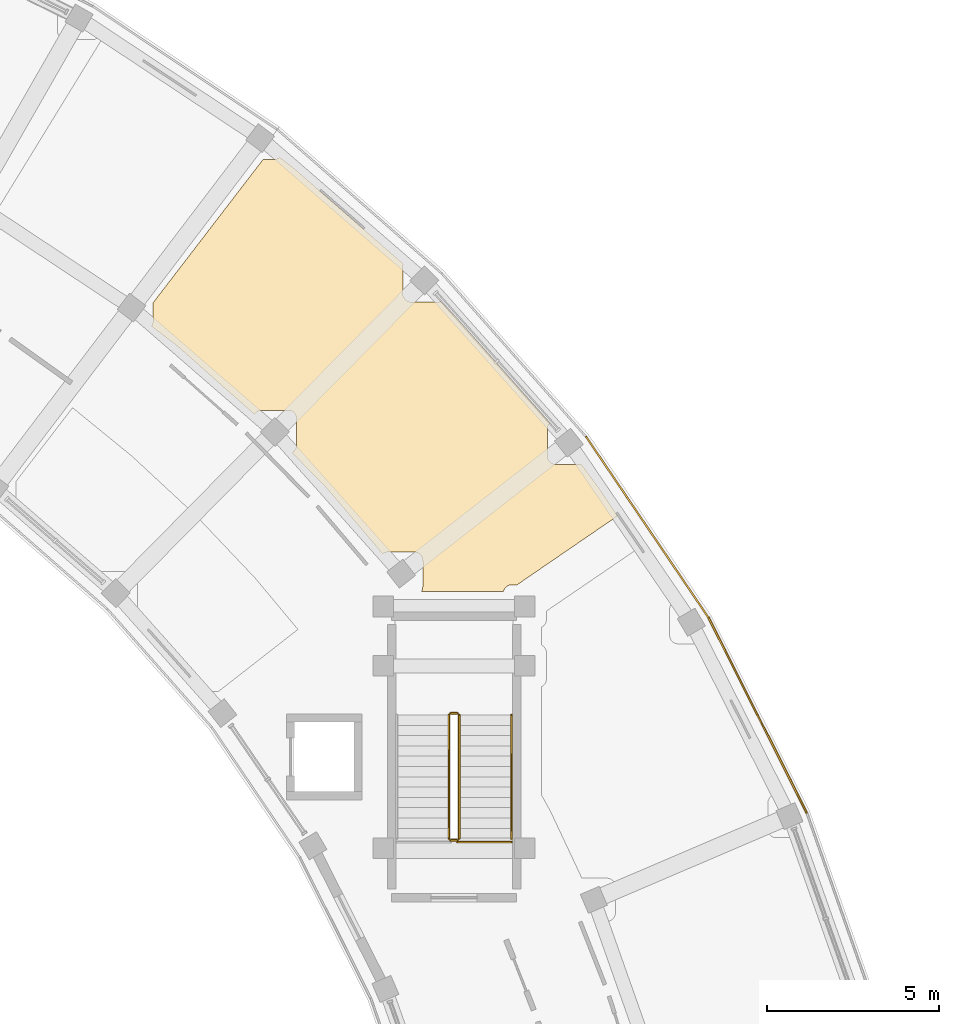
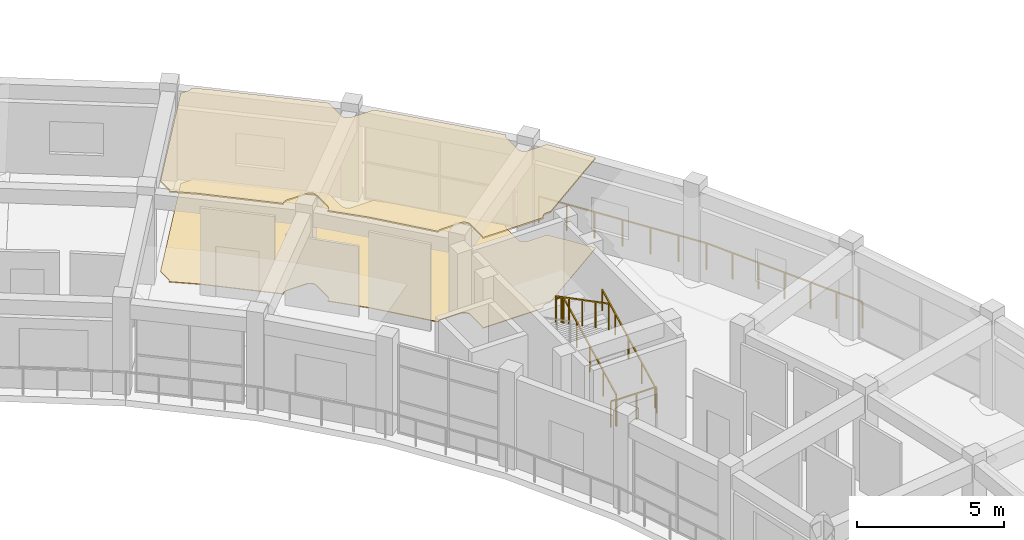
# One storey, part 71 of 72: 8 railings, 2 coverings.
"""IFC4 building model written with IfcOpenShell, lengths in metres."""

from ifc_helpers import new_model, si_unit, direction, frame, origin, origin_2d, place, context, subcontext, project, spatial, polyline, rectangle, outline, extrude, material, layer, layer_set, type_object, element, save


model = new_model("IFC4")

# Units and contexts
model_context = context("Model", 3, precision=1e-05, world=origin(), true_north=direction((0.0, 1.0)))
body_context = subcontext(model_context, "Body", "Model", "MODEL_VIEW")
ifc_project = project(units=[si_unit("LENGTHUNIT", "METRE"), si_unit("AREAUNIT", "SQUARE_METRE"), si_unit("VOLUMEUNIT", "CUBIC_METRE"), si_unit("PLANEANGLEUNIT", "RADIAN"), si_unit("MASSUNIT", "GRAM", prefix="KILO")], contexts=[model_context])

# Site, building, storey
site_placement = place(None, origin())
site = spatial("IfcSite", under=ifc_project, at=site_placement, CompositionType="ELEMENT")
building_placement = place(site_placement, origin())
building = spatial("IfcBuilding", under=site, at=building_placement, Name="Saryqyr Civic Hall", CompositionType="ELEMENT")
storey_placement = place(building_placement, frame((0.0, 0.0, 17.25)))
storey = spatial("IfcBuildingStorey", under=building, at=storey_placement, Name="L04", CompositionType="ELEMENT", Elevation=17.25)

# Coverings
ifc_material_1 = material(Name="Mineral-fibre acoustic ceiling tile", Category="acoustic_tile")
ifc_layer_1 = layer(ifc_material_1, 0.06005859375, Name="Mineral-fibre acoustic ceiling tile")
ifc_layer_set_1 = layer_set([ifc_layer_1], Name="Mineral-fibre acoustic ceiling tile")
covering_type_1 = type_object("IfcCoveringType", Name="INT-COV-CEIL-60", PredefinedType="CEILING", material=ifc_layer_set_1)
covering_1_placement = place(storey_placement, frame((0.0, 0.0, 3.72998046875)))
element("IfcCovering", 1, at=covering_1_placement, inside=storey, type_object=covering_type_1, Name="Acoustic ceiling Chief of Staff & Cabinet Secretariat", PredefinedType="CEILING", context=body_context, shape_type="SweptSolid", body=[
    extrude(outline(polyline([(93.9599609375, 110.010009765625), (93.935546875, 110.0087890625), (93.9111328125, 110.005126953125), (93.887451171875, 109.999267578125), (93.8642578125, 109.990966796875), (93.84228515625, 109.98046875), (93.821044921875, 109.968017578125), (93.801513671875, 109.953369140625), (93.783203125, 109.936767578125), (93.7666015625, 109.918701171875), (93.752197265625, 109.89892578125), (93.739501953125, 109.877685546875), (93.72900390625, 109.855712890625), (93.720703125, 109.83251953125), (93.717529296875, 109.820068359375), (91.328125, 109.820068359375), (91.3388671875, 109.837890625), (91.349365234375, 109.85986328125), (91.357666015625, 109.883056640625), (91.363525390625, 109.90673828125), (91.3671875, 109.93115234375), (91.368408203125, 109.95556640625), (91.368408203125, 110.715576171875), (91.3671875, 110.739990234375), (91.363525390625, 110.764404296875), (91.357666015625, 110.7880859375), (91.349365234375, 110.811279296875), (91.3388671875, 110.83349609375), (91.326416015625, 110.8544921875), (91.311767578125, 110.874267578125), (91.295166015625, 110.892333984375), (91.277099609375, 110.908935546875), (91.25732421875, 110.923583984375), (91.236083984375, 110.93603515625), (91.214111328125, 110.946533203125), (91.19091796875, 110.954833984375), (91.167236328125, 110.960693359375), (91.142822265625, 110.96435546875), (91.118408203125, 110.965576171875), (90.3583984375, 110.965576171875), (90.333984375, 110.96435546875), (90.3095703125, 110.960693359375), (90.285888671875, 110.954833984375), (90.2626953125, 110.946533203125), (90.240478515625, 110.93603515625), (90.219482421875, 110.923583984375), (90.19970703125, 110.908935546875), (88.5966796875, 112.79541015625), (88.57080078125, 112.823974609375), (87.555419921875, 113.861328125), (87.560546875, 113.86376953125), (87.581787109375, 113.876220703125), (87.601318359375, 113.890869140625), (87.61962890625, 113.907470703125), (87.635986328125, 113.925537109375), (87.650634765625, 113.9453125), (87.663330078125, 113.96630859375), (87.673828125, 113.988525390625), (87.681884765625, 114.01171875), (87.68798828125, 114.035400390625), (87.691650390625, 114.059814453125), (87.69287109375, 114.084228515625), (87.69287109375, 114.84423828125), (87.691650390625, 114.86865234375), (87.68798828125, 114.89306640625), (87.681884765625, 114.916748046875), (87.673828125, 114.93994140625), (87.663330078125, 114.9619140625), (87.650634765625, 114.983154296875), (87.635986328125, 115.002685546875), (87.61962890625, 115.02099609375), (87.601318359375, 115.03759765625), (87.581787109375, 115.052001953125), (87.560546875, 115.064697265625), (87.53857421875, 115.0751953125), (87.515380859375, 115.08349609375), (87.49169921875, 115.08935546875), (87.46728515625, 115.093017578125), (87.44287109375, 115.09423828125), (86.682861328125, 115.09423828125), (86.658203125, 115.093017578125), (86.634033203125, 115.08935546875), (86.610107421875, 115.08349609375), (86.587158203125, 115.0751953125), (86.56494140625, 115.064697265625), (86.5439453125, 115.052001953125), (86.524169921875, 115.03759765625), (86.506103515625, 115.02099609375), (86.489501953125, 115.002685546875), (86.474853515625, 114.983154296875), (86.467529296875, 114.970703125), (84.248779296875, 116.93994140625), (84.218994140625, 116.964599609375), (83.46044921875, 117.5478515625), (83.4736328125, 117.56591796875), (83.486328125, 117.5869140625), (83.496826171875, 117.60888671875), (83.5048828125, 117.632080078125), (83.510986328125, 117.656005859375), (83.5146484375, 117.68017578125), (83.515869140625, 117.70458984375), (83.515869140625, 118.2275390625), (86.71142578125, 122.39208984375), (87.015625, 122.39208984375), (87.0400390625, 122.393310546875), (87.064453125, 122.39697265625), (87.088134765625, 122.403076171875), (87.111328125, 122.4111328125), (87.13330078125, 122.421630859375), (87.154541015625, 122.434326171875), (87.17431640625, 122.448974609375), (87.1923828125, 122.46533203125), (87.19384765625, 122.467041015625), (87.63525390625, 122.127685546875), (90.806884765625, 119.35302734375), (90.806640625, 119.35302734375), (90.798583984375, 119.329833984375), (90.79248046875, 119.30615234375), (90.788818359375, 119.28173828125), (90.78759765625, 119.25732421875), (90.78759765625, 118.497314453125), (90.788818359375, 118.472900390625), (90.79248046875, 118.448486328125), (90.798583984375, 118.4248046875), (90.806640625, 118.401611328125), (90.817138671875, 118.37939453125), (90.829833984375, 118.3583984375), (90.844482421875, 118.338623046875), (90.86083984375, 118.320556640625), (90.879150390625, 118.303955078125), (90.898681640625, 118.289306640625), (90.919921875, 118.27685546875), (90.94189453125, 118.266357421875), (90.965087890625, 118.258056640625), (90.989013671875, 118.252197265625), (91.01318359375, 118.24853515625), (91.03759765625, 118.247314453125), (91.797607421875, 118.247314453125), (91.822265625, 118.24853515625), (91.846435546875, 118.252197265625), (91.870361328125, 118.258056640625), (91.88720703125, 118.26416015625), (92.38671875, 117.754150390625), (95.03515625, 114.755615234375), (95.072998046875, 114.7109375), (95.06884765625, 114.70751953125), (95.052490234375, 114.689208984375), (95.037841796875, 114.66943359375), (95.025146484375, 114.6484375), (95.0146484375, 114.626220703125), (95.006591796875, 114.603271484375), (95.00048828125, 114.579345703125), (94.996826171875, 114.55517578125), (94.99560546875, 114.530517578125), (94.99560546875, 113.7705078125), (94.996826171875, 113.74609375), (95.00048828125, 113.7216796875), (95.006591796875, 113.697998046875), (95.0146484375, 113.6748046875), (95.025146484375, 113.65283203125), (95.037841796875, 113.631591796875), (95.052490234375, 113.612060546875), (95.06884765625, 113.59375), (95.087158203125, 113.577392578125), (95.106689453125, 113.562744140625), (95.1279296875, 113.550048828125), (95.14990234375, 113.53955078125), (95.173095703125, 113.531494140625), (95.197021484375, 113.525390625), (95.22119140625, 113.521728515625), (95.24560546875, 113.5205078125), (95.9892578125, 113.5205078125), (96.47802734375, 112.85595703125), (97.044921875, 112.018310546875), (94.113037109375, 110.010009765625), (93.9599609375, 110.010009765625)])), origin(), (0.0, 0.0, 1.0), 0.06005859375),
])
ifc_material_2 = material(Name="Polished terrazzo tile", Category="stone")
ifc_layer_2 = layer(ifc_material_2, 0.030029296875, Name="Polished terrazzo tile")
ifc_layer_set_2 = layer_set([ifc_layer_2], Name="Polished terrazzo tile")
covering_type_2 = type_object("IfcCoveringType", Name="INT-COV-FLR-30", PredefinedType="FLOORING", material=ifc_layer_set_2)
covering_2_placement = place(storey_placement, origin())
element("IfcCovering", 2, at=covering_2_placement, inside=storey, type_object=covering_type_2, Name="Polished terrazzo flooring Chief of Staff & Cabinet Secretariat", PredefinedType="FLOORING", context=body_context, shape_type="SweptSolid", body=[
    extrude(outline(polyline([(93.9599609375, 110.010009765625), (93.935546875, 110.0087890625), (93.9111328125, 110.005126953125), (93.887451171875, 109.999267578125), (93.8642578125, 109.990966796875), (93.84228515625, 109.98046875), (93.821044921875, 109.968017578125), (93.801513671875, 109.953369140625), (93.783203125, 109.936767578125), (93.7666015625, 109.918701171875), (93.752197265625, 109.89892578125), (93.739501953125, 109.877685546875), (93.72900390625, 109.855712890625), (93.720703125, 109.83251953125), (93.717529296875, 109.820068359375), (91.328125, 109.820068359375), (91.3388671875, 109.837890625), (91.349365234375, 109.85986328125), (91.357666015625, 109.883056640625), (91.363525390625, 109.90673828125), (91.3671875, 109.93115234375), (91.368408203125, 109.95556640625), (91.368408203125, 110.715576171875), (91.3671875, 110.739990234375), (91.363525390625, 110.764404296875), (91.357666015625, 110.7880859375), (91.349365234375, 110.811279296875), (91.3388671875, 110.83349609375), (91.326416015625, 110.8544921875), (91.311767578125, 110.874267578125), (91.295166015625, 110.892333984375), (91.277099609375, 110.908935546875), (91.25732421875, 110.923583984375), (91.236083984375, 110.93603515625), (91.214111328125, 110.946533203125), (91.19091796875, 110.954833984375), (91.167236328125, 110.960693359375), (91.142822265625, 110.96435546875), (91.118408203125, 110.965576171875), (90.3583984375, 110.965576171875), (90.333984375, 110.96435546875), (90.3095703125, 110.960693359375), (90.285888671875, 110.954833984375), (90.2626953125, 110.946533203125), (90.240478515625, 110.93603515625), (90.219482421875, 110.923583984375), (90.19970703125, 110.908935546875), (88.5966796875, 112.79541015625), (88.57080078125, 112.823974609375), (87.555419921875, 113.861328125), (87.560546875, 113.86376953125), (87.581787109375, 113.876220703125), (87.601318359375, 113.890869140625), (87.61962890625, 113.907470703125), (87.635986328125, 113.925537109375), (87.650634765625, 113.9453125), (87.663330078125, 113.96630859375), (87.673828125, 113.988525390625), (87.681884765625, 114.01171875), (87.68798828125, 114.035400390625), (87.691650390625, 114.059814453125), (87.69287109375, 114.084228515625), (87.69287109375, 114.84423828125), (87.691650390625, 114.86865234375), (87.68798828125, 114.89306640625), (87.681884765625, 114.916748046875), (87.673828125, 114.93994140625), (87.663330078125, 114.9619140625), (87.650634765625, 114.983154296875), (87.635986328125, 115.002685546875), (87.61962890625, 115.02099609375), (87.601318359375, 115.03759765625), (87.581787109375, 115.052001953125), (87.560546875, 115.064697265625), (87.53857421875, 115.0751953125), (87.515380859375, 115.08349609375), (87.49169921875, 115.08935546875), (87.46728515625, 115.093017578125), (87.44287109375, 115.09423828125), (86.682861328125, 115.09423828125), (86.658203125, 115.093017578125), (86.634033203125, 115.08935546875), (86.610107421875, 115.08349609375), (86.587158203125, 115.0751953125), (86.56494140625, 115.064697265625), (86.5439453125, 115.052001953125), (86.524169921875, 115.03759765625), (86.506103515625, 115.02099609375), (86.489501953125, 115.002685546875), (86.474853515625, 114.983154296875), (86.467529296875, 114.970703125), (84.248779296875, 116.93994140625), (84.218994140625, 116.964599609375), (83.46044921875, 117.5478515625), (83.4736328125, 117.56591796875), (83.486328125, 117.5869140625), (83.496826171875, 117.60888671875), (83.5048828125, 117.632080078125), (83.510986328125, 117.656005859375), (83.5146484375, 117.68017578125), (83.515869140625, 117.70458984375), (83.515869140625, 118.2275390625), (86.71142578125, 122.39208984375), (87.015625, 122.39208984375), (87.0400390625, 122.393310546875), (87.064453125, 122.39697265625), (87.088134765625, 122.403076171875), (87.111328125, 122.4111328125), (87.13330078125, 122.421630859375), (87.154541015625, 122.434326171875), (87.17431640625, 122.448974609375), (87.1923828125, 122.46533203125), (87.19384765625, 122.467041015625), (87.63525390625, 122.127685546875), (90.806884765625, 119.35302734375), (90.806640625, 119.35302734375), (90.798583984375, 119.329833984375), (90.79248046875, 119.30615234375), (90.788818359375, 119.28173828125), (90.78759765625, 119.25732421875), (90.78759765625, 118.497314453125), (90.788818359375, 118.472900390625), (90.79248046875, 118.448486328125), (90.798583984375, 118.4248046875), (90.806640625, 118.401611328125), (90.817138671875, 118.37939453125), (90.829833984375, 118.3583984375), (90.844482421875, 118.338623046875), (90.86083984375, 118.320556640625), (90.879150390625, 118.303955078125), (90.898681640625, 118.289306640625), (90.919921875, 118.27685546875), (90.94189453125, 118.266357421875), (90.965087890625, 118.258056640625), (90.989013671875, 118.252197265625), (91.01318359375, 118.24853515625), (91.03759765625, 118.247314453125), (91.797607421875, 118.247314453125), (91.822265625, 118.24853515625), (91.846435546875, 118.252197265625), (91.870361328125, 118.258056640625), (91.88720703125, 118.26416015625), (92.38671875, 117.754150390625), (95.03515625, 114.755615234375), (95.072998046875, 114.7109375), (95.06884765625, 114.70751953125), (95.052490234375, 114.689208984375), (95.037841796875, 114.66943359375), (95.025146484375, 114.6484375), (95.0146484375, 114.626220703125), (95.006591796875, 114.603271484375), (95.00048828125, 114.579345703125), (94.996826171875, 114.55517578125), (94.99560546875, 114.530517578125), (94.99560546875, 113.7705078125), (94.996826171875, 113.74609375), (95.00048828125, 113.7216796875), (95.006591796875, 113.697998046875), (95.0146484375, 113.6748046875), (95.025146484375, 113.65283203125), (95.037841796875, 113.631591796875), (95.052490234375, 113.612060546875), (95.06884765625, 113.59375), (95.087158203125, 113.577392578125), (95.106689453125, 113.562744140625), (95.1279296875, 113.550048828125), (95.14990234375, 113.53955078125), (95.173095703125, 113.531494140625), (95.197021484375, 113.525390625), (95.22119140625, 113.521728515625), (95.24560546875, 113.5205078125), (95.9892578125, 113.5205078125), (96.47802734375, 112.85595703125), (97.044921875, 112.018310546875), (94.113037109375, 110.010009765625), (93.9599609375, 110.010009765625)])), origin(), (0.0, 0.0, 1.0), 0.030029296875),
])

# Railings
ifc_material_3 = material(Name="Warm brushed brass and laminated glass", Category="glass")
ifc_layer_3 = layer(ifc_material_3, 0.06005859375, Name="Warm brushed brass and laminated glass")
ifc_layer_set_3 = layer_set([ifc_layer_3], Name="Warm brushed brass and laminated glass")
railing_type_1 = type_object("IfcRailingType", Name="INT-RLG-BAL-1100", PredefinedType="BALUSTRADE", material=ifc_layer_set_3)
railing_1_placement = place(storey_placement, frame((92.429931640625, 102.6201171875, 0.15576171875)))
element("IfcRailing", 3, at=railing_1_placement, inside=storey, type_object=railing_type_1, Name="L04 ST-6 stair guard 1", PredefinedType="BALUSTRADE", context=body_context, shape_type="SweptSolid", body=[
    extrude(rectangle(XDim=0.048095703125, YDim=0.048095703125, at=origin_2d()), frame((0.0, 0.0, 1.076171875), z_axis=(0.0, 0.887497496945, 0.460812535545), x_axis=(-1.0, 0.0, 0.0)), (0.0, 0.0, 1.0), 4.05615234375),
    extrude(rectangle(XDim=0.0419921875, YDim=0.0419921875, at=origin_2d()), origin(), (0.0, 0.0, 1.0), 1.052001953125),
    extrude(rectangle(XDim=0.0419921875, YDim=0.0419921875, at=origin_2d()), frame((0.0, 0.89990234375, 0.46728515625)), (0.0, 0.0, 1.0), 1.052001953125),
    extrude(rectangle(XDim=0.0419921875, YDim=0.0419921875, at=origin_2d()), frame((0.0, 1.7998046875, 0.9345703125)), (0.0, 0.0, 1.0), 1.052001953125),
    extrude(rectangle(XDim=0.0419921875, YDim=0.0419921875, at=origin_2d()), frame((0.0, 2.699951171875, 1.40185546875)), (0.0, 0.0, 1.0), 1.052001953125),
    extrude(rectangle(XDim=0.0419921875, YDim=0.0419921875, at=origin_2d()), frame((0.0, 3.599853515625, 1.869140625)), (0.0, 0.0, 1.0), 1.052001953125),
])
railing_2_placement = place(storey_placement, frame((92.3798828125, 106.27001953125, 2.02490234375)))
element("IfcRailing", 4, at=railing_2_placement, inside=storey, type_object=railing_type_1, Name="L04 ST-6 stair guard 2", PredefinedType="BALUSTRADE", context=body_context, shape_type="SweptSolid", body=[
    extrude(rectangle(XDim=0.048095703125, YDim=0.048095703125, at=origin_2d()), frame((0.0, 0.0, 1.076171875), z_axis=(-1.0, 0.0, 0.0), x_axis=(0.0, -1.0, 0.0)), (0.0, 0.0, 1.0), 0.199951171875),
    extrude(rectangle(XDim=0.0419921875, YDim=0.0419921875, at=origin_2d()), origin(), (0.0, 0.0, 1.0), 1.052001953125),
    extrude(rectangle(XDim=0.0419921875, YDim=0.0419921875, at=origin_2d()), frame((-0.199951171875, 0.0, 0.0)), (0.0, 0.0, 1.0), 1.052001953125),
])
railing_3_placement = place(storey_placement, frame((92.1298828125, 106.219970703125, 2.1806640625)))
element("IfcRailing", 5, at=railing_3_placement, inside=storey, type_object=railing_type_1, Name="L04 ST-6 stair guard 3", PredefinedType="BALUSTRADE", context=body_context, shape_type="SweptSolid", body=[
    extrude(rectangle(XDim=0.048095703125, YDim=0.048095703125, at=origin_2d()), frame((0.0, 0.0, 1.076171875), z_axis=(0.0, -0.887472880572, 0.460859942119), x_axis=(1.0, 0.0, 0.0)), (0.0, 0.0, 1.0), 4.056396484375),
    extrude(rectangle(XDim=0.0419921875, YDim=0.0419921875, at=origin_2d()), origin(), (0.0, 0.0, 1.0), 1.052001953125),
    extrude(rectangle(XDim=0.0419921875, YDim=0.0419921875, at=origin_2d()), frame((0.0, -0.89990234375, 0.46728515625)), (0.0, 0.0, 1.0), 1.052001953125),
    extrude(rectangle(XDim=0.0419921875, YDim=0.0419921875, at=origin_2d()), frame((0.0, -1.7998046875, 0.9345703125)), (0.0, 0.0, 1.0), 1.052001953125),
    extrude(rectangle(XDim=0.0419921875, YDim=0.0419921875, at=origin_2d()), frame((0.0, -2.699951171875, 1.402099609375)), (0.0, 0.0, 1.0), 1.052001953125),
    extrude(rectangle(XDim=0.0419921875, YDim=0.0419921875, at=origin_2d()), frame((0.0, -3.599853515625, 1.869384765625)), (0.0, 0.0, 1.0), 1.052001953125),
])
railing_4_placement = place(storey_placement, frame((92.3798828125, 102.570068359375, 0.0)))
element("IfcRailing", 6, at=railing_4_placement, inside=storey, type_object=railing_type_1, Name="L04 ST-6 stair guard 4", PredefinedType="BALUSTRADE", context=body_context, shape_type="SweptSolid", body=[
    extrude(rectangle(XDim=0.048095703125, YDim=0.048095703125, at=origin_2d()), frame((0.0, 0.0, 1.076171875), z_axis=(-1.0, 0.0, 0.0), x_axis=(0.0, -1.0, 0.0)), (0.0, 0.0, 1.0), 0.199951171875),
    extrude(rectangle(XDim=0.0419921875, YDim=0.0419921875, at=origin_2d()), origin(), (0.0, 0.0, 1.0), 1.052001953125),
    extrude(rectangle(XDim=0.0419921875, YDim=0.0419921875, at=origin_2d()), frame((-0.199951171875, 0.0, 0.0)), (0.0, 0.0, 1.0), 1.052001953125),
])
railing_5_placement = place(storey_placement, frame((96.127685546875, 114.319091796875, 0.0)))
element("IfcRailing", 7, at=railing_5_placement, inside=storey, type_object=railing_type_1, Name="Interior deck safety balustrade L04-052", PredefinedType="BALUSTRADE", context=body_context, shape_type="SweptSolid", body=[
    extrude(rectangle(XDim=0.048095703125, YDim=0.048095703125, at=origin_2d()), frame((0.0, 0.0, 1.09619140625), z_axis=(0.560499967333, -0.828154446115, 0.0), x_axis=(0.828154446115, 0.560499967333, 0.0)), (0.0, 0.0, 1.0), 6.357666015625),
    extrude(rectangle(XDim=0.0419921875, YDim=0.0419921875, at=origin_2d()), origin(), (0.0, 0.0, 1.0), 1.072021484375),
    extrude(rectangle(XDim=0.0419921875, YDim=0.0419921875, at=origin_2d()), frame((0.593994140625, -0.87744140625, 0.0)), (0.0, 0.0, 1.0), 1.072021484375),
    extrude(rectangle(XDim=0.0419921875, YDim=0.0419921875, at=origin_2d()), frame((1.187744140625, -1.755126953125, 0.0)), (0.0, 0.0, 1.0), 1.072021484375),
    extrude(rectangle(XDim=0.0419921875, YDim=0.0419921875, at=origin_2d()), frame((1.78173828125, -2.632568359375, 0.0)), (0.0, 0.0, 1.0), 1.072021484375),
    extrude(rectangle(XDim=0.0419921875, YDim=0.0419921875, at=origin_2d()), frame((2.375732421875, -3.510009765625, 0.0)), (0.0, 0.0, 1.0), 1.072021484375),
    extrude(rectangle(XDim=0.0419921875, YDim=0.0419921875, at=origin_2d()), frame((2.969482421875, -4.3876953125, 0.0)), (0.0, 0.0, 1.0), 1.072021484375),
    extrude(rectangle(XDim=0.0419921875, YDim=0.0419921875, at=origin_2d()), frame((3.5634765625, -5.26513671875, 0.0)), (0.0, 0.0, 1.0), 1.072021484375),
])
railing_6_placement = place(storey_placement, frame((99.691162109375, 109.053955078125, 0.0)))
element("IfcRailing", 8, at=railing_6_placement, inside=storey, type_object=railing_type_1, Name="Interior deck safety balustrade L04-053", PredefinedType="BALUSTRADE", context=body_context, shape_type="SweptSolid", body=[
    extrude(rectangle(XDim=0.048095703125, YDim=0.048095703125, at=origin_2d()), frame((0.0, 0.0, 1.09619140625), z_axis=(0.449700172546, -0.893179575904, 0.0), x_axis=(0.893179575904, 0.449700172546, 0.0)), (0.0, 0.0, 1.0), 6.35791015625),
    extrude(rectangle(XDim=0.0419921875, YDim=0.0419921875, at=origin_2d()), origin(), (0.0, 0.0, 1.0), 1.072021484375),
    extrude(rectangle(XDim=0.0419921875, YDim=0.0419921875, at=origin_2d()), frame((0.4765625, -0.946533203125, 0.0)), (0.0, 0.0, 1.0), 1.072021484375),
    extrude(rectangle(XDim=0.0419921875, YDim=0.0419921875, at=origin_2d()), frame((0.953125, -1.892822265625, 0.0)), (0.0, 0.0, 1.0), 1.072021484375),
    extrude(rectangle(XDim=0.0419921875, YDim=0.0419921875, at=origin_2d()), frame((1.4296875, -2.83935546875, 0.0)), (0.0, 0.0, 1.0), 1.072021484375),
    extrude(rectangle(XDim=0.0419921875, YDim=0.0419921875, at=origin_2d()), frame((1.906005859375, -3.785888671875, 0.0)), (0.0, 0.0, 1.0), 1.072021484375),
    extrude(rectangle(XDim=0.0419921875, YDim=0.0419921875, at=origin_2d()), frame((2.382568359375, -4.732177734375, 0.0)), (0.0, 0.0, 1.0), 1.072021484375),
    extrude(rectangle(XDim=0.0419921875, YDim=0.0419921875, at=origin_2d()), frame((2.859130859375, -5.6787109375, 0.0)), (0.0, 0.0, 1.0), 1.072021484375),
])
railing_7_placement = place(storey_placement, frame((92.3798828125, 102.52001953125, 0.0)))
element("IfcRailing", 9, at=railing_7_placement, inside=storey, type_object=railing_type_1, Name="Interior deck safety balustrade L04-098", PredefinedType="BALUSTRADE", context=body_context, shape_type="SweptSolid", body=[
    extrude(rectangle(XDim=0.048095703125, YDim=0.048095703125, at=origin_2d()), frame((0.0, 0.0, 1.09619140625), z_axis=(1.0, 0.0, 0.0), x_axis=(0.0, 1.0, 0.0)), (0.0, 0.0, 1.0), 1.5751953125),
    extrude(rectangle(XDim=0.0419921875, YDim=0.0419921875, at=origin_2d()), origin(), (0.0, 0.0, 1.0), 1.072021484375),
    extrude(rectangle(XDim=0.0419921875, YDim=0.0419921875, at=origin_2d()), frame((0.78759765625, 0.0, 0.0)), (0.0, 0.0, 1.0), 1.072021484375),
    extrude(rectangle(XDim=0.0419921875, YDim=0.0419921875, at=origin_2d()), frame((1.5751953125, 0.0, 0.0)), (0.0, 0.0, 1.0), 1.072021484375),
])
ifc_material_4 = material(Name="Stainless steel", Category="steel")
ifc_layer_4 = layer(ifc_material_4, 0.050048828125, Name="Stainless steel")
ifc_layer_set_4 = layer_set([ifc_layer_4], Name="Stainless steel")
railing_type_2 = type_object("IfcRailingType", Name="INT-RLG-HND-900", PredefinedType="HANDRAIL", material=ifc_layer_set_4)
railing_8_placement = place(storey_placement, frame((93.949951171875, 102.6201171875, 0.15576171875)))
element("IfcRailing", 10, at=railing_8_placement, inside=storey, type_object=railing_type_2, Name="L04 ST-6 stair handrail 1", PredefinedType="HANDRAIL", context=body_context, shape_type="SweptSolid", body=[
    extrude(rectangle(XDim=0.048095703125, YDim=0.048095703125, at=origin_2d()), frame((0.0, 0.0, 0.8759765625), z_axis=(0.0, 0.887497496945, 0.460812535545), x_axis=(-1.0, 0.0, 0.0)), (0.0, 0.0, 1.0), 4.05615234375),
    extrude(rectangle(XDim=0.0419921875, YDim=0.0419921875, at=origin_2d()), origin(), (0.0, 0.0, 1.0), 0.851806640625),
    extrude(rectangle(XDim=0.0419921875, YDim=0.0419921875, at=origin_2d()), frame((0.0, 0.89990234375, 0.46728515625)), (0.0, 0.0, 1.0), 0.851806640625),
    extrude(rectangle(XDim=0.0419921875, YDim=0.0419921875, at=origin_2d()), frame((0.0, 1.7998046875, 0.9345703125)), (0.0, 0.0, 1.0), 0.851806640625),
    extrude(rectangle(XDim=0.0419921875, YDim=0.0419921875, at=origin_2d()), frame((0.0, 2.699951171875, 1.40185546875)), (0.0, 0.0, 1.0), 0.851806640625),
    extrude(rectangle(XDim=0.0419921875, YDim=0.0419921875, at=origin_2d()), frame((0.0, 3.599853515625, 1.869140625)), (0.0, 0.0, 1.0), 0.851806640625),
])

save(model, "model.ifc")
